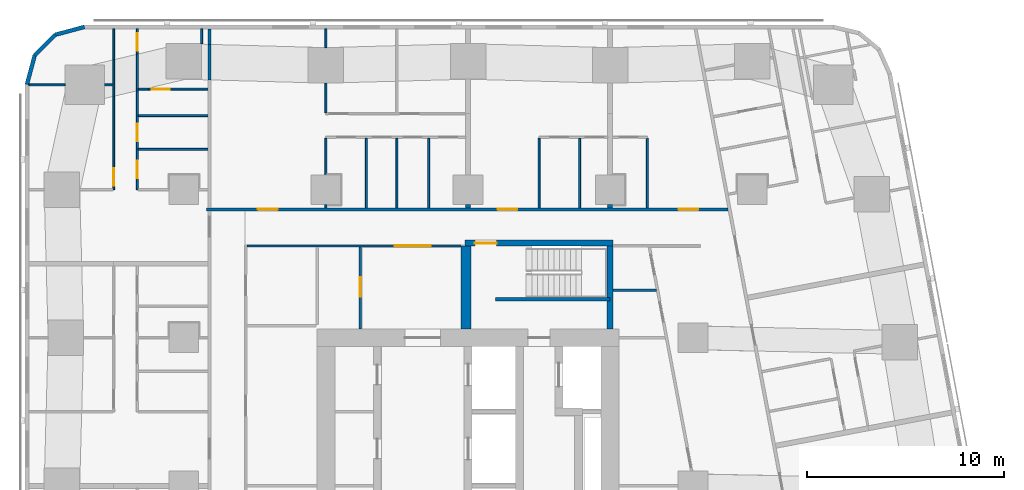
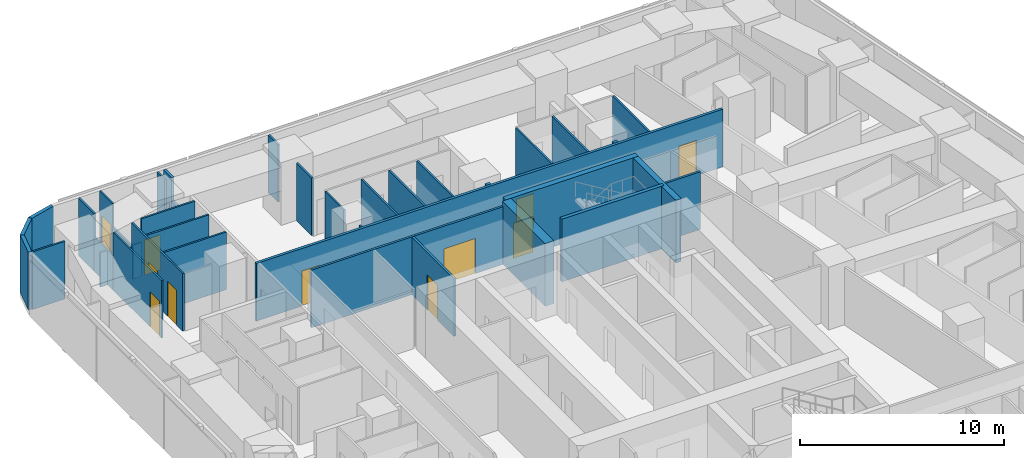
# One storey, part 9 of 15: 38 walls, 11 doors, 11 openings.
"""IFC4 building model written with IfcOpenShell, lengths in metres."""

from ifc_helpers import new_model, si_unit, direction, frame, frame_2d, origin, place, context, subcontext, project, spatial, rectangle, extrude, material, layer, layer_set, type_object, element, fill, save


model = new_model("IFC4")

# Units and contexts
model_context = context("Model", 3, precision=1e-05, world=origin(), true_north=direction((0.0, 1.0)))
body_context = subcontext(model_context, "Body", "Model", "MODEL_VIEW")
ifc_project = project(units=[si_unit("LENGTHUNIT", "METRE"), si_unit("AREAUNIT", "SQUARE_METRE"), si_unit("VOLUMEUNIT", "CUBIC_METRE"), si_unit("PLANEANGLEUNIT", "RADIAN"), si_unit("MASSUNIT", "GRAM", prefix="KILO")], contexts=[model_context])

# Site, building, storey
site_placement = place(None, origin())
site = spatial("IfcSite", under=ifc_project, at=site_placement, CompositionType="ELEMENT")
building_placement = place(site_placement, origin())
building = spatial("IfcBuilding", under=site, at=building_placement, Name="Sheger Commons Tower", CompositionType="ELEMENT")
storey_placement = place(building_placement, frame((0.0, 0.0, 184.550048828125)))
storey = spatial("IfcBuildingStorey", under=building, at=storey_placement, Name="L47", CompositionType="ELEMENT", Elevation=184.550048828125)

# Walls
ifc_material_1 = material(Name="Hollow concrete block masonry, skimmed both sides", Category="masonry")
ifc_layer_1 = layer(ifc_material_1, 0.14990234375)
ifc_layer_set_1 = layer_set([ifc_layer_1], Name="CORRIDOR WALL 150")
wall_type_1 = type_object("IfcWallType", Name="CORRIDOR WALL 150", PredefinedType="SOLIDWALL", material=ifc_layer_set_1)
wall_1_placement = place(storey_placement, frame((8.5, 43.06103515625, 0.0), z_axis=(0.0, 0.0, 1.0), x_axis=(0.0, 1.0, 0.0)))
element("IfcWall", 1, at=wall_1_placement, inside=storey, type_object=wall_type_1, Name="Corridor wall L47", PredefinedType="SOLIDWALL", context=body_context, shape_type="SweptSolid", body=[
    extrude(rectangle(XDim=1.804931640625, YDim=0.14990234375, at=frame_2d((0.90234375, 0.0))), origin(), (0.0, 0.0, 1.0), 2.050048828125),
])
wall_2_placement = place(storey_placement, frame((8.5, 44.865966796875, 0.0), z_axis=(0.0, 0.0, 1.0), x_axis=(0.0, 1.0, 0.0)))
element("IfcWall", 2, at=wall_2_placement, inside=storey, type_object=wall_type_1, Name="Corridor wall L47", PredefinedType="SOLIDWALL", context=body_context, shape_type="SweptSolid", body=[
    extrude(rectangle(XDim=0.783935546875, YDim=0.14990234375, at=frame_2d((0.39208984375, 0.0))), origin(), (0.0, 0.0, 1.0), 3.449951171875),
])

# Wall, openings, doors
wall_3_placement = place(storey_placement, frame((8.35009765625, 36.5, 0.0), z_axis=(0.0, 0.0, 1.0), x_axis=(1.0, 0.0, 0.0)))
wall_3 = element("IfcWall", 3, at=wall_3_placement, inside=storey, type_object=wall_type_1, Name="Corridor wall L47", PredefinedType="SOLIDWALL", context=body_context, shape_type="SweptSolid", body=[
    extrude(rectangle(XDim=26.414794921875, YDim=0.14990234375, at=frame_2d((13.20751953125, 0.0))), origin(), (0.0, 0.0, 1.0), 3.449951171875),
])
opening_1_placement = place(wall_3_placement, frame((2.60009765625, 0.0, 0.0)))
opening_1 = element("IfcOpeningElement", 4, at=opening_1_placement, cuts=wall_3, Name="Opening D1", PredefinedType="OPENING", context=body_context, shape_type="SweptSolid", body=[
    extrude(rectangle(XDim=1.0, YDim=2.10009765625, at=frame_2d((0.5, 1.050048828125))), frame((0.0, 0.0849609375, 0.0), z_axis=(0.0, -1.0, 0.0), x_axis=(1.0, 0.0, 0.0)), (0.0, 0.0, 1.0), 0.169921875),
])
opening_2_placement = place(wall_3_placement, frame((14.75, 0.0, 0.0)))
opening_2 = element("IfcOpeningElement", 5, at=opening_2_placement, cuts=wall_3, Name="Opening D1", PredefinedType="OPENING", context=body_context, shape_type="SweptSolid", body=[
    extrude(rectangle(XDim=1.0, YDim=2.10009765625, at=frame_2d((0.5, 1.050048828125))), frame((0.0, 0.0849609375, 0.0), z_axis=(0.0, -1.0, 0.0), x_axis=(1.0, 0.0, 0.0)), (0.0, 0.0, 1.0), 0.169921875),
])
opening_3_placement = place(wall_3_placement, frame((23.923095703125, 0.0, 0.0)))
opening_3 = element("IfcOpeningElement", 6, at=opening_3_placement, cuts=wall_3, Name="Opening D1", PredefinedType="OPENING", context=body_context, shape_type="SweptSolid", body=[
    extrude(rectangle(XDim=1.0, YDim=2.10009765625, at=frame_2d((0.5, 1.050048828125))), frame((0.0, 0.0849609375, 0.0), z_axis=(0.0, -1.0, 0.0), x_axis=(1.0, 0.0, 0.0)), (0.0, 0.0, 1.0), 0.169921875),
])
ifc_material_2 = material(Name="Steel door set, fire rated", Category="steel")
door_type_1 = type_object("IfcDoorType", Name="FLAT ENTRANCE DOOR 1000x2100", OperationType="NOTDEFINED", PredefinedType="DOOR", material=ifc_material_2)
door_1_placement = place(opening_1_placement, origin())
door_1 = element("IfcDoor", 7, at=door_1_placement, inside=storey, type_object=door_type_1, Name="Flat entrance door", OperationType="SINGLE_SWING_LEFT", OverallHeight=2.10009765625, OverallWidth=1.0, PredefinedType="DOOR", context=body_context, shape_type="SweptSolid", body=[
    extrude(rectangle(XDim=1.0, YDim=2.10009765625, at=frame_2d((0.5, 1.050048828125))), frame((0.0, 0.02490234375, 0.0), z_axis=(0.0, -1.0, 0.0), x_axis=(1.0, 0.0, 0.0)), (0.0, 0.0, 1.0), 0.050048828125),
])
fill(opening_1, door_1)
door_2_placement = place(opening_2_placement, origin())
door_2 = element("IfcDoor", 8, at=door_2_placement, inside=storey, type_object=door_type_1, Name="Flat entrance door", OperationType="SINGLE_SWING_RIGHT", OverallHeight=2.10009765625, OverallWidth=1.0, PredefinedType="DOOR", context=body_context, shape_type="SweptSolid", body=[
    extrude(rectangle(XDim=1.0, YDim=2.10009765625, at=frame_2d((0.5, 1.050048828125))), frame((0.0, 0.02490234375, 0.0), z_axis=(0.0, -1.0, 0.0), x_axis=(1.0, 0.0, 0.0)), (0.0, 0.0, 1.0), 0.050048828125),
])
fill(opening_2, door_2)
door_3_placement = place(opening_3_placement, origin())
door_3 = element("IfcDoor", 9, at=door_3_placement, inside=storey, type_object=door_type_1, Name="Flat entrance door", OperationType="SINGLE_SWING_RIGHT", OverallHeight=2.10009765625, OverallWidth=1.0, PredefinedType="DOOR", context=body_context, shape_type="SweptSolid", body=[
    extrude(rectangle(XDim=1.0, YDim=2.10009765625, at=frame_2d((0.5, 1.050048828125))), frame((0.0, 0.02490234375, 0.0), z_axis=(0.0, -1.0, 0.0), x_axis=(1.0, 0.0, 0.0)), (0.0, 0.0, 1.0), 0.050048828125),
])
fill(opening_3, door_3)

# Walls
ifc_material_3 = material(Name="Dense concrete block masonry, plastered both sides (separating wall between flats)", Category="masonry")
ifc_layer_2 = layer(ifc_material_3, 0.25)
ifc_layer_set_2 = layer_set([ifc_layer_2], Name="DEMISING WALL 250")
wall_type_2 = type_object("IfcWallType", Name="DEMISING WALL 250", PredefinedType="SOLIDWALL", material=ifc_layer_set_2)
for number, where, z_axis, x_axis, name in (
    (10, (21.60009765625, 36.574951171875, 0.0), (0.0, 0.0, 1.0), (0.0, 1.0, 0.0), "Demising wall L47"),
    (11, (28.800048828125, 36.574951171875, 0.0), (0.0, 0.0, 1.0), (0.0, 1.0, 0.0), "Demising wall L47"),
):
    element("IfcWall", number, at=place(storey_placement, frame(where, z_axis=z_axis, x_axis=x_axis)), inside=storey, type_object=wall_type_2, Name=name, PredefinedType="SOLIDWALL", context=body_context, shape_type="SweptSolid", body=[
        extrude(rectangle(XDim=0.174072265625, YDim=0.25, at=frame_2d((0.0869140625, 0.0))), origin(), (0.0, 0.0, 1.0), 3.449951171875),
    ])
ifc_material_4 = material(Name="Rendered concrete block masonry, dark grey", Category="masonry")
ifc_layer_3 = layer(ifc_material_4, 0.199951171875)
ifc_layer_set_3 = layer_set([ifc_layer_3], Name="FACADE WALL 200")
wall_type_3 = type_object("IfcWallType", Name="FACADE WALL 200", PredefinedType="SOLIDWALL", material=ifc_layer_set_3)
wall_4_placement = place(storey_placement, frame((2.1630859375, 45.75, 0.0), z_axis=(0.0, 0.0, 1.0), x_axis=(-0.965832000415, -0.259168954497, 0.0)))
element("IfcWall", 12, at=wall_4_placement, inside=storey, type_object=wall_type_3, Name="Facade wall L47", PredefinedType="SOLIDWALL", context=body_context, shape_type="SweptSolid", body=[
    extrude(rectangle(XDim=1.512939453125, YDim=0.199951171875, at=frame_2d((0.75634765625, 0.0))), origin(), (0.0, 0.0, 1.0), 3.449951171875),
])
wall_5_placement = place(storey_placement, frame((0.701904296875, 45.35791015625, 0.0), z_axis=(0.0, 0.0, 1.0), x_axis=(-0.707106781187, -0.707106781187, 0.0)))
element("IfcWall", 13, at=wall_5_placement, inside=storey, type_object=wall_type_3, Name="Facade wall L47", PredefinedType="SOLIDWALL", context=body_context, shape_type="SweptSolid", body=[
    extrude(rectangle(XDim=1.498779296875, YDim=0.199951171875, at=frame_2d((0.74951171875, 0.0))), origin(), (0.0, 0.0, 1.0), 3.449951171875),
])
wall_6_placement = place(storey_placement, frame((-0.35791015625, 44.298095703125, 0.0), z_axis=(0.0, 0.0, 1.0), x_axis=(-0.259168954497, -0.965832000415, 0.0)))
element("IfcWall", 14, at=wall_6_placement, inside=storey, type_object=wall_type_3, Name="Facade wall L47", PredefinedType="SOLIDWALL", context=body_context, shape_type="SweptSolid", body=[
    extrude(rectangle(XDim=1.512939453125, YDim=0.199951171875, at=frame_2d((0.75634765625, 0.0))), origin(), (0.0, 0.0, 1.0), 3.449951171875),
])
ifc_material_5 = material(Name="Gypsum board on steel studs", Category="steel")
ifc_layer_4 = layer(ifc_material_5, 0.10009765625)
ifc_layer_set_4 = layer_set([ifc_layer_4], Name="PARTITION 100")
wall_type_4 = type_object("IfcWallType", Name="PARTITION 100", PredefinedType="PARTITIONING", material=ifc_layer_set_4)
wall_7_placement = place(storey_placement, frame((8.10009765625, 45.64990234375, 0.0), z_axis=(0.0, 0.0, 1.0), x_axis=(0.0, -1.0, 0.0)))
element("IfcWall", 15, at=wall_7_placement, inside=storey, type_object=wall_type_4, Name="Partition L47", PredefinedType="PARTITIONING", context=body_context, shape_type="SweptSolid", body=[
    extrude(rectangle(XDim=0.7490234375, YDim=0.10009765625, at=frame_2d((0.37451171875, 0.0))), origin(), (0.0, 0.0, 1.0), 3.449951171875),
])

# Wall, opening, door
wall_8_placement = place(storey_placement, frame((3.64990234375, 37.5, 0.0), z_axis=(0.0, 0.0, 1.0), x_axis=(0.0, 1.0, 0.0)))
wall_8 = element("IfcWall", 16, at=wall_8_placement, inside=storey, type_object=wall_type_4, Name="Partition L47", PredefinedType="PARTITIONING", context=body_context, shape_type="SweptSolid", body=[
    extrude(rectangle(XDim=4.72412109375, YDim=0.10009765625, at=frame_2d((2.362060546875, 0.0))), origin(), (0.0, 0.0, 1.0), 3.449951171875),
])
opening_4_placement = place(wall_8_placement, frame((0.199951171875, 0.0, 0.0)))
opening_4 = element("IfcOpeningElement", 17, at=opening_4_placement, cuts=wall_8, Name="Opening D2", PredefinedType="OPENING", context=body_context, shape_type="SweptSolid", body=[
    extrude(rectangle(XDim=0.89990234375, YDim=2.10009765625, at=frame_2d((0.449951171875, 1.050048828125))), frame((0.0, 0.06005859375, 0.0), z_axis=(0.0, -1.0, 0.0), x_axis=(1.0, 0.0, 0.0)), (0.0, 0.0, 1.0), 0.1201171875),
])
ifc_material_6 = material(Name="Timber door set", Category="wood")
door_type_2 = type_object("IfcDoorType", Name="INTERNAL DOOR 900x2100", OperationType="NOTDEFINED", PredefinedType="DOOR", material=ifc_material_6)
door_4_placement = place(opening_4_placement, origin())
door_4 = element("IfcDoor", 18, at=door_4_placement, inside=storey, type_object=door_type_2, Name="Main bedroom door", OperationType="SINGLE_SWING_LEFT", OverallHeight=2.10009765625, OverallWidth=0.89990234375, PredefinedType="DOOR", context=body_context, shape_type="SweptSolid", body=[
    extrude(rectangle(XDim=0.89990234375, YDim=2.10009765625, at=frame_2d((0.449951171875, 1.050048828125))), frame((0.0, 0.02490234375, 0.0), z_axis=(0.0, -1.0, 0.0), x_axis=(1.0, 0.0, 0.0)), (0.0, 0.0, 1.0), 0.050048828125),
])
fill(opening_4, door_4)

# Walls
wall_9_placement = place(storey_placement, frame((3.64990234375, 42.22412109375, 0.0), z_axis=(0.0, 0.0, 1.0), x_axis=(0.0, 1.0, 0.0)))
element("IfcWall", 19, at=wall_9_placement, inside=storey, type_object=wall_type_4, Name="Partition L47", PredefinedType="PARTITIONING", context=body_context, shape_type="SweptSolid", body=[
    extrude(rectangle(XDim=1.872802734375, YDim=0.10009765625, at=frame_2d((0.9365234375, 0.0))), origin(), (0.0, 0.0, 1.0), 2.050048828125),
])
wall_10_placement = place(storey_placement, frame((3.64990234375, 44.096923828125, 0.0), z_axis=(0.0, 0.0, 1.0), x_axis=(0.0, 1.0, 0.0)))
element("IfcWall", 20, at=wall_10_placement, inside=storey, type_object=wall_type_4, Name="Partition L47", PredefinedType="PARTITIONING", context=body_context, shape_type="SweptSolid", body=[
    extrude(rectangle(XDim=1.552978515625, YDim=0.10009765625, at=frame_2d((0.7763671875, 0.0))), origin(), (0.0, 0.0, 1.0), 3.449951171875),
])

# Wall, openings, doors
wall_11_placement = place(storey_placement, frame((4.85009765625, 37.5, 0.0), z_axis=(0.0, 0.0, 1.0), x_axis=(0.0, 1.0, 0.0)))
wall_11 = element("IfcWall", 21, at=wall_11_placement, inside=storey, type_object=wall_type_4, Name="Partition L47", PredefinedType="PARTITIONING", context=body_context, shape_type="SweptSolid", body=[
    extrude(rectangle(XDim=5.007080078125, YDim=0.10009765625, at=frame_2d((2.50341796875, 0.0))), origin(), (0.0, 0.0, 1.0), 3.449951171875),
])
opening_5_placement = place(wall_11_placement, frame((0.574951171875, 0.0, 0.0)))
opening_5 = element("IfcOpeningElement", 22, at=opening_5_placement, cuts=wall_11, Name="Opening D2", PredefinedType="OPENING", context=body_context, shape_type="SweptSolid", body=[
    extrude(rectangle(XDim=0.89990234375, YDim=2.10009765625, at=frame_2d((0.449951171875, 1.050048828125))), frame((0.0, 0.06005859375, 0.0), z_axis=(0.0, -1.0, 0.0), x_axis=(1.0, 0.0, 0.0)), (0.0, 0.0, 1.0), 0.1201171875),
])
opening_6_placement = place(wall_11_placement, frame((2.449951171875, 0.0, 0.0)))
opening_6 = element("IfcOpeningElement", 23, at=opening_6_placement, cuts=wall_11, Name="Opening D2", PredefinedType="OPENING", context=body_context, shape_type="SweptSolid", body=[
    extrude(rectangle(XDim=0.89990234375, YDim=2.10009765625, at=frame_2d((0.449951171875, 1.050048828125))), frame((0.0, 0.06005859375, 0.0), z_axis=(0.0, -1.0, 0.0), x_axis=(1.0, 0.0, 0.0)), (0.0, 0.0, 1.0), 0.1201171875),
])
door_5_placement = place(opening_5_placement, origin())
door_5 = element("IfcDoor", 24, at=door_5_placement, inside=storey, type_object=door_type_2, Name="Bathroom door", OperationType="SINGLE_SWING_RIGHT", OverallHeight=2.10009765625, OverallWidth=0.89990234375, PredefinedType="DOOR", context=body_context, shape_type="SweptSolid", body=[
    extrude(rectangle(XDim=0.89990234375, YDim=2.10009765625, at=frame_2d((0.449951171875, 1.050048828125))), frame((0.0, 0.02490234375, 0.0), z_axis=(0.0, -1.0, 0.0), x_axis=(1.0, 0.0, 0.0)), (0.0, 0.0, 1.0), 0.050048828125),
])
fill(opening_5, door_5)
door_6_placement = place(opening_6_placement, origin())
door_6 = element("IfcDoor", 25, at=door_6_placement, inside=storey, type_object=door_type_2, Name="Store door", OperationType="SINGLE_SWING_LEFT", OverallHeight=2.10009765625, OverallWidth=0.89990234375, PredefinedType="DOOR", context=body_context, shape_type="SweptSolid", body=[
    extrude(rectangle(XDim=0.89990234375, YDim=2.10009765625, at=frame_2d((0.449951171875, 1.050048828125))), frame((0.0, 0.02490234375, 0.0), z_axis=(0.0, -1.0, 0.0), x_axis=(1.0, 0.0, 0.0)), (0.0, 0.0, 1.0), 0.050048828125),
])
fill(opening_6, door_6)

# Wall
wall_12_placement = place(storey_placement, frame((4.85009765625, 42.507080078125, 0.0), z_axis=(0.0, 0.0, 1.0), x_axis=(0.0, 1.0, 0.0)))
element("IfcWall", 26, at=wall_12_placement, inside=storey, type_object=wall_type_4, Name="Partition L47", PredefinedType="PARTITIONING", context=body_context, shape_type="SweptSolid", body=[
    extrude(rectangle(XDim=1.8740234375, YDim=0.10009765625, at=frame_2d((0.93701171875, 0.0))), origin(), (0.0, 0.0, 1.0), 2.050048828125),
])

# Wall, opening, door
wall_13_placement = place(storey_placement, frame((4.85009765625, 44.381103515625, 0.0), z_axis=(0.0, 0.0, 1.0), x_axis=(0.0, 1.0, 0.0)))
wall_13 = element("IfcWall", 27, at=wall_13_placement, inside=storey, type_object=wall_type_4, Name="Partition L47", PredefinedType="PARTITIONING", context=body_context, shape_type="SweptSolid", body=[
    extrude(rectangle(XDim=1.268798828125, YDim=0.10009765625, at=frame_2d((0.63427734375, 0.0))), origin(), (0.0, 0.0, 1.0), 3.449951171875),
])
opening_7_placement = place(wall_13_placement, frame((0.14990234375, 0.0, 0.0)))
opening_7 = element("IfcOpeningElement", 28, at=opening_7_placement, cuts=wall_13, Name="Opening D2", PredefinedType="OPENING", context=body_context, shape_type="SweptSolid", body=[
    extrude(rectangle(XDim=0.89990234375, YDim=2.10009765625, at=frame_2d((0.449951171875, 1.050048828125))), frame((0.0, 0.06005859375, 0.0), z_axis=(0.0, -1.0, 0.0), x_axis=(1.0, 0.0, 0.0)), (0.0, 0.0, 1.0), 0.1201171875),
])
door_7_placement = place(opening_7_placement, origin())
door_7 = element("IfcDoor", 29, at=door_7_placement, inside=storey, type_object=door_type_2, Name="Store and laundry door", OperationType="SINGLE_SWING_RIGHT", OverallHeight=2.10009765625, OverallWidth=0.89990234375, PredefinedType="DOOR", context=body_context, shape_type="SweptSolid", body=[
    extrude(rectangle(XDim=0.89990234375, YDim=2.10009765625, at=frame_2d((0.449951171875, 1.050048828125))), frame((0.0, 0.02490234375, 0.0), z_axis=(0.0, -1.0, 0.0), x_axis=(1.0, 0.0, 0.0)), (0.0, 0.0, 1.0), 0.050048828125),
])
fill(opening_7, door_7)

# Walls
wall_14_placement = place(storey_placement, frame((-0.64990234375, 42.81396484375, 0.0), z_axis=(0.0, 0.0, 1.0), x_axis=(1.0, 0.0, 0.0)))
element("IfcWall", 30, at=wall_14_placement, inside=storey, type_object=wall_type_4, Name="Partition L47", PredefinedType="PARTITIONING", context=body_context, shape_type="SweptSolid", body=[
    extrude(rectangle(XDim=1.8349609375, YDim=0.10009765625, at=frame_2d((0.91748046875, 0.0))), origin(), (0.0, 0.0, 1.0), 3.449951171875),
])
wall_15_placement = place(storey_placement, frame((3.18701171875, 42.81396484375, 0.0), z_axis=(0.0, 0.0, 1.0), x_axis=(1.0, 0.0, 0.0)))
element("IfcWall", 31, at=wall_15_placement, inside=storey, type_object=wall_type_4, Name="Partition L47", PredefinedType="PARTITIONING", context=body_context, shape_type="SweptSolid", body=[
    extrude(rectangle(XDim=0.4130859375, YDim=0.10009765625, at=frame_2d((0.20654296875, 0.0))), origin(), (0.0, 0.0, 1.0), 2.050048828125),
])
for number, where, z_axis, x_axis, name in (
    (32, (4.89990234375, 41.25, 0.0), (0.0, 0.0, 1.0), (1.0, 0.0, 0.0), "Partition L47"),
    (33, (4.89990234375, 39.550048828125, 0.0), (0.0, 0.0, 1.0), (1.0, 0.0, 0.0), "Partition L47"),
):
    element("IfcWall", number, at=place(storey_placement, frame(where, z_axis=z_axis, x_axis=x_axis)), inside=storey, type_object=wall_type_4, Name=name, PredefinedType="PARTITIONING", context=body_context, shape_type="SweptSolid", body=[
        extrude(rectangle(XDim=3.525146484375, YDim=0.10009765625, at=frame_2d((1.7626953125, 0.0))), origin(), (0.0, 0.0, 1.0), 3.449951171875),
    ])
wall_16_placement = place(storey_placement, frame((14.39990234375, 41.39990234375, 0.0), z_axis=(0.0, 0.0, 1.0), x_axis=(0.0, 1.0, 0.0)))
element("IfcWall", 34, at=wall_16_placement, inside=storey, type_object=wall_type_4, Name="Partition L47", PredefinedType="PARTITIONING", context=body_context, shape_type="SweptSolid", body=[
    extrude(rectangle(XDim=1.4990234375, YDim=0.10009765625, at=frame_2d((0.74951171875, 0.0))), origin(), (0.0, 0.0, 1.0), 3.449951171875),
])
wall_17_placement = place(storey_placement, frame((14.39990234375, 44.700927734375, 0.0), z_axis=(0.0, 0.0, 1.0), x_axis=(0.0, 1.0, 0.0)))
element("IfcWall", 35, at=wall_17_placement, inside=storey, type_object=wall_type_4, Name="Partition L47", PredefinedType="PARTITIONING", context=body_context, shape_type="SweptSolid", body=[
    extrude(rectangle(XDim=0.948974609375, YDim=0.10009765625, at=frame_2d((0.474609375, 0.0))), origin(), (0.0, 0.0, 1.0), 3.449951171875),
])
wall_18_placement = place(storey_placement, frame((14.39990234375, 36.574951171875, 0.0), z_axis=(0.0, 0.0, 1.0), x_axis=(0.0, 1.0, 0.0)))
element("IfcWall", 36, at=wall_18_placement, inside=storey, type_object=wall_type_4, Name="Partition L47", PredefinedType="PARTITIONING", context=body_context, shape_type="SweptSolid", body=[
    extrude(rectangle(XDim=0.174072265625, YDim=0.10009765625, at=frame_2d((0.0869140625, 0.0))), origin(), (0.0, 0.0, 1.0), 3.449951171875),
])
wall_19_placement = place(storey_placement, frame((14.39990234375, 38.2509765625, 0.0), z_axis=(0.0, 0.0, 1.0), x_axis=(0.0, 1.0, 0.0)))
element("IfcWall", 37, at=wall_19_placement, inside=storey, type_object=wall_type_4, Name="Partition L47", PredefinedType="PARTITIONING", context=body_context, shape_type="SweptSolid", body=[
    extrude(rectangle(XDim=1.84912109375, YDim=0.10009765625, at=frame_2d((0.924560546875, 0.0))), origin(), (0.0, 0.0, 1.0), 3.449951171875),
])
for number, where, z_axis, x_axis, name in (
    (38, (18.0, 36.574951171875, 0.0), (0.0, 0.0, 1.0), (0.0, 1.0, 0.0), "Partition L47"),
    (39, (16.449951171875, 36.574951171875, 0.0), (0.0, 0.0, 1.0), (0.0, 1.0, 0.0), "Partition L47"),
    (40, (19.60009765625, 36.574951171875, 0.0), (0.0, 0.0, 1.0), (0.0, 1.0, 0.0), "Partition L47"),
    (41, (25.199951171875, 36.574951171875, 0.0), (0.0, 0.0, 1.0), (0.0, 1.0, 0.0), "Partition L47"),
    (42, (27.25, 36.574951171875, 0.0), (0.0, 0.0, 1.0), (0.0, 1.0, 0.0), "Partition L47"),
    (43, (30.68994140625, 36.574951171875, 0.0), (0.0, 0.0, 1.0), (0.0, 1.0, 0.0), "Partition L47"),
):
    element("IfcWall", number, at=place(storey_placement, frame(where, z_axis=z_axis, x_axis=x_axis)), inside=storey, type_object=wall_type_4, Name=name, PredefinedType="PARTITIONING", context=body_context, shape_type="SweptSolid", body=[
        extrude(rectangle(XDim=3.525146484375, YDim=0.10009765625, at=frame_2d((1.7626953125, 0.0))), origin(), (0.0, 0.0, 1.0), 3.449951171875),
    ])

# Wall, opening, door
wall_20_placement = place(storey_placement, frame((8.425048828125, 42.60009765625, 0.0), z_axis=(0.0, 0.0, 1.0), x_axis=(-1.0, 0.0, 0.0)))
wall_20 = element("IfcWall", 44, at=wall_20_placement, inside=storey, type_object=wall_type_4, Name="Partition L47", PredefinedType="PARTITIONING", context=body_context, shape_type="SweptSolid", body=[
    extrude(rectangle(XDim=3.02197265625, YDim=0.10009765625, at=frame_2d((1.510986328125, 0.0))), origin(), (0.0, 0.0, 1.0), 3.449951171875),
])
opening_8_placement = place(wall_20_placement, frame((1.949951171875, 0.0, 0.0)))
opening_8 = element("IfcOpeningElement", 45, at=opening_8_placement, cuts=wall_20, Name="Opening D2", PredefinedType="OPENING", context=body_context, shape_type="SweptSolid", body=[
    extrude(rectangle(XDim=0.89990234375, YDim=2.10009765625, at=frame_2d((0.449951171875, 1.050048828125))), frame((0.0, 0.06005859375, 0.0), z_axis=(0.0, -1.0, 0.0), x_axis=(1.0, 0.0, 0.0)), (0.0, 0.0, 1.0), 0.1201171875),
])
door_8_placement = place(opening_8_placement, origin())
door_8 = element("IfcDoor", 46, at=door_8_placement, inside=storey, type_object=door_type_2, Name="Store door", OperationType="SINGLE_SWING_RIGHT", OverallHeight=2.10009765625, OverallWidth=0.89990234375, PredefinedType="DOOR", context=body_context, shape_type="SweptSolid", body=[
    extrude(rectangle(XDim=0.89990234375, YDim=2.10009765625, at=frame_2d((0.449951171875, 1.050048828125))), frame((0.0, 0.02490234375, 0.0), z_axis=(0.0, -1.0, 0.0), x_axis=(1.0, 0.0, 0.0)), (0.0, 0.0, 1.0), 0.050048828125),
])
fill(opening_8, door_8)

# Wall
wall_21_placement = place(storey_placement, frame((5.403076171875, 42.60009765625, 0.0), z_axis=(0.0, 0.0, 1.0), x_axis=(-1.0, 0.0, 0.0)))
element("IfcWall", 47, at=wall_21_placement, inside=storey, type_object=wall_type_4, Name="Partition L47", PredefinedType="PARTITIONING", context=body_context, shape_type="SweptSolid", body=[
    extrude(rectangle(XDim=0.503173828125, YDim=0.10009765625, at=frame_2d((0.25146484375, 0.0))), origin(), (0.0, 0.0, 1.0), 2.050048828125),
])

# Wall, opening, door
ifc_material_7 = material(Name="Gypsum board on steel studs, two layers each side, fire rated", Category="steel")
ifc_layer_5 = layer(ifc_material_7, 0.125)
ifc_layer_set_5 = layer_set([ifc_layer_5], Name="SERVICE WALL 125")
wall_type_5 = type_object("IfcWallType", Name="SERVICE WALL 125", PredefinedType="PARTITIONING", material=ifc_layer_set_5)
wall_22_placement = place(storey_placement, frame((10.4130859375, 34.64990234375, 0.0), z_axis=(0.0, 0.0, 1.0), x_axis=(1.0, 0.0, 0.0)))
wall_22 = element("IfcWall", 48, at=wall_22_placement, inside=storey, type_object=wall_type_5, Name="Service room wall L47", PredefinedType="PARTITIONING", context=body_context, shape_type="SweptSolid", body=[
    extrude(rectangle(XDim=10.8369140625, YDim=0.125, at=frame_2d((5.41845703125, 0.0))), origin(), (0.0, 0.0, 1.0), 3.449951171875),
])
opening_9_placement = place(wall_22_placement, frame((7.487060546875, 0.0, 0.0)))
opening_9 = element("IfcOpeningElement", 49, at=opening_9_placement, cuts=wall_22, Name="Opening D6", PredefinedType="OPENING", context=body_context, shape_type="SweptSolid", body=[
    extrude(rectangle(XDim=1.800048828125, YDim=2.10009765625, at=frame_2d((0.89990234375, 1.050048828125))), frame((0.0, 0.072509765625, 0.0), z_axis=(0.0, -1.0, 0.0), x_axis=(1.0, 0.0, 0.0)), (0.0, 0.0, 1.0), 0.14501953125),
])
ifc_material_8 = material(Name="Steel door set, fire rated", Category="steel")
door_type_3 = type_object("IfcDoorType", Name="LOBBY DOUBLE DOOR 1800x2100", OperationType="DOUBLE_DOOR_SINGLE_SWING", PredefinedType="DOOR", material=ifc_material_8)
door_9_placement = place(opening_9_placement, origin())
door_9 = element("IfcDoor", 50, at=door_9_placement, inside=storey, type_object=door_type_3, Name="Lift lobby north door", OperationType="DOUBLE_DOOR_SINGLE_SWING", OverallHeight=2.10009765625, OverallWidth=1.800048828125, PredefinedType="DOOR", context=body_context, shape_type="SweptSolid", body=[
    extrude(rectangle(XDim=1.800048828125, YDim=2.10009765625, at=frame_2d((0.89990234375, 1.050048828125))), frame((0.0, 0.02490234375, 0.0), z_axis=(0.0, -1.0, 0.0), x_axis=(1.0, 0.0, 0.0)), (0.0, 0.0, 1.0), 0.050048828125),
])
fill(opening_9, door_9)

wall_23_placement = place(storey_placement, frame((16.14990234375, 30.449951171875, 0.0), z_axis=(0.0, 0.0, 1.0), x_axis=(0.0, 1.0, 0.0)))
wall_23 = element("IfcWall", 51, at=wall_23_placement, inside=storey, type_object=wall_type_5, Name="Service room wall L47", PredefinedType="PARTITIONING", context=body_context, shape_type="SweptSolid", body=[
    extrude(rectangle(XDim=4.136962890625, YDim=0.125, at=frame_2d((2.068359375, 0.0))), origin(), (0.0, 0.0, 1.0), 3.449951171875),
])
opening_10_placement = place(wall_23_placement, frame((1.625, 0.0, 0.0)))
opening_10 = element("IfcOpeningElement", 52, at=opening_10_placement, cuts=wall_23, Name="Opening D4", PredefinedType="OPENING", context=body_context, shape_type="SweptSolid", body=[
    extrude(rectangle(XDim=1.0, YDim=2.10009765625, at=frame_2d((0.5, 1.050048828125))), frame((0.0, 0.072509765625, 0.0), z_axis=(0.0, -1.0, 0.0), x_axis=(1.0, 0.0, 0.0)), (0.0, 0.0, 1.0), 0.14501953125),
])
ifc_material_9 = material(Name="Steel door set, fire rated", Category="steel")
door_type_4 = type_object("IfcDoorType", Name="SERVICE DOOR 1000x2100", OperationType="NOTDEFINED", PredefinedType="DOOR", material=ifc_material_9)
door_10_placement = place(opening_10_placement, origin())
door_10 = element("IfcDoor", 53, at=door_10_placement, inside=storey, type_object=door_type_4, Name="Telecom room door", OperationType="SINGLE_SWING_RIGHT", OverallHeight=2.10009765625, OverallWidth=1.0, PredefinedType="DOOR", context=body_context, shape_type="SweptSolid", body=[
    extrude(rectangle(XDim=1.0, YDim=2.10009765625, at=frame_2d((0.5, 1.050048828125))), frame((0.0, 0.02490234375, 0.0), z_axis=(0.0, -1.0, 0.0), x_axis=(1.0, 0.0, 0.0)), (0.0, 0.0, 1.0), 0.050048828125),
])
fill(opening_10, door_10)

# Wall
wall_24_placement = place(storey_placement, frame((28.949951171875, 32.39990234375, 0.0), z_axis=(0.0, 0.0, 1.0), x_axis=(1.0, 0.0, 0.0)))
element("IfcWall", 54, at=wall_24_placement, inside=storey, type_object=wall_type_5, Name="Service room wall L47", PredefinedType="PARTITIONING", context=body_context, shape_type="SweptSolid", body=[
    extrude(rectangle(XDim=2.18896484375, YDim=0.125, at=frame_2d((1.094482421875, 0.0))), origin(), (0.0, 0.0, 1.0), 3.449951171875),
])

# Wall, opening, door
ifc_material_10 = material(Name="Concrete C50/60", Category="concrete")
ifc_layer_6 = layer(ifc_material_10, 0.300048828125)
ifc_layer_set_6 = layer_set([ifc_layer_6], Name="STAIR CORE WALL 300")
wall_type_6 = type_object("IfcWallType", Name="STAIR CORE WALL 300", PredefinedType="SHEAR", material=ifc_layer_set_6)
wall_25_placement = place(storey_placement, frame((21.449951171875, 34.800048828125, 0.0), z_axis=(0.0, 0.0, 1.0), x_axis=(1.0, 0.0, 0.0)))
wall_25 = element("IfcWall", 55, at=wall_25_placement, inside=storey, type_object=wall_type_6, Name="STW-L47-S2N", PredefinedType="SHEAR", context=body_context, shape_type="SweptSolid", body=[
    extrude(rectangle(XDim=7.5, YDim=0.300048828125, at=frame_2d((3.75, 0.0))), origin(), (0.0, 0.0, 1.0), 3.75),
])
opening_11_placement = place(wall_25_placement, frame((0.5, 0.0, 0.0)))
opening_11 = element("IfcOpeningElement", 56, at=opening_11_placement, cuts=wall_25, Name="Opening D5", PredefinedType="OPENING", context=body_context, shape_type="SweptSolid", body=[
    extrude(rectangle(XDim=1.10009765625, YDim=2.10009765625, at=frame_2d((0.550048828125, 1.050048828125))), frame((0.0, 0.159912109375, 0.0), z_axis=(0.0, -1.0, 0.0), x_axis=(1.0, 0.0, 0.0)), (0.0, 0.0, 1.0), 0.320068359375),
])
ifc_material_11 = material(Name="Steel door set, fire rated", Category="steel")
door_type_5 = type_object("IfcDoorType", Name="STAIR DOOR 1100x2100", OperationType="NOTDEFINED", PredefinedType="DOOR", material=ifc_material_11)
door_11_placement = place(opening_11_placement, origin())
door_11 = element("IfcDoor", 57, at=door_11_placement, inside=storey, type_object=door_type_5, Name="Stair S2 door", OperationType="SINGLE_SWING_RIGHT", OverallHeight=2.10009765625, OverallWidth=1.10009765625, PredefinedType="DOOR", context=body_context, shape_type="SweptSolid", body=[
    extrude(rectangle(XDim=1.10009765625, YDim=2.10009765625, at=frame_2d((0.550048828125, 1.050048828125))), frame((0.0, 0.02490234375, 0.0), z_axis=(0.0, -1.0, 0.0), x_axis=(1.0, 0.0, 0.0)), (0.0, 0.0, 1.0), 0.050048828125),
])
fill(opening_11, door_11)

# Walls
wall_26_placement = place(storey_placement, frame((28.800048828125, 30.449951171875, 0.0), z_axis=(0.0, 0.0, 1.0), x_axis=(0.0, 1.0, 0.0)))
element("IfcWall", 58, at=wall_26_placement, inside=storey, type_object=wall_type_6, Name="STW-L47-S2E", PredefinedType="SHEAR", context=body_context, shape_type="SweptSolid", body=[
    extrude(rectangle(XDim=4.199951171875, YDim=0.300048828125, at=frame_2d((2.10009765625, 0.0))), origin(), (0.0, 0.0, 1.0), 3.75),
])
ifc_material_12 = material(Name="Concrete C50/60", Category="concrete")
ifc_layer_7 = layer(ifc_material_12, 0.5)
ifc_layer_set_7 = layer_set([ifc_layer_7], Name="STAIR CORE WALL 500")
wall_type_7 = type_object("IfcWallType", Name="STAIR CORE WALL 500", PredefinedType="SHEAR", material=ifc_layer_set_7)
wall_27_placement = place(storey_placement, frame((21.5, 30.449951171875, 0.0), z_axis=(0.0, 0.0, 1.0), x_axis=(0.0, 1.0, 0.0)))
element("IfcWall", 59, at=wall_27_placement, inside=storey, type_object=wall_type_7, Name="STW-L47-S2W", PredefinedType="SHEAR", context=body_context, shape_type="SweptSolid", body=[
    extrude(rectangle(XDim=4.199951171875, YDim=0.5, at=frame_2d((2.10009765625, 0.0))), origin(), (0.0, 0.0, 1.0), 3.75),
])
ifc_material_13 = material(Name="Concrete C50/60", Category="concrete")
ifc_layer_8 = layer(ifc_material_13, 0.199951171875)
ifc_layer_set_8 = layer_set([ifc_layer_8], Name="STAIR SPINE WALL 200")
wall_type_8 = type_object("IfcWallType", Name="STAIR SPINE WALL 200", PredefinedType="SHEAR", material=ifc_layer_set_8)
wall_28_placement = place(storey_placement, frame((23.0, 31.949951171875, 0.0), z_axis=(0.0, 0.0, 1.0), x_axis=(1.0, 0.0, 0.0)))
element("IfcWall", 60, at=wall_28_placement, inside=storey, type_object=wall_type_8, Name="Stair spine wall L47", PredefinedType="SHEAR", context=body_context, shape_type="SweptSolid", body=[
    extrude(rectangle(XDim=5.800048828125, YDim=0.199951171875, at=frame_2d((2.89990234375, 0.0))), origin(), (0.0, 0.0, 1.0), 3.75),
])

save(model, "model.ifc")
